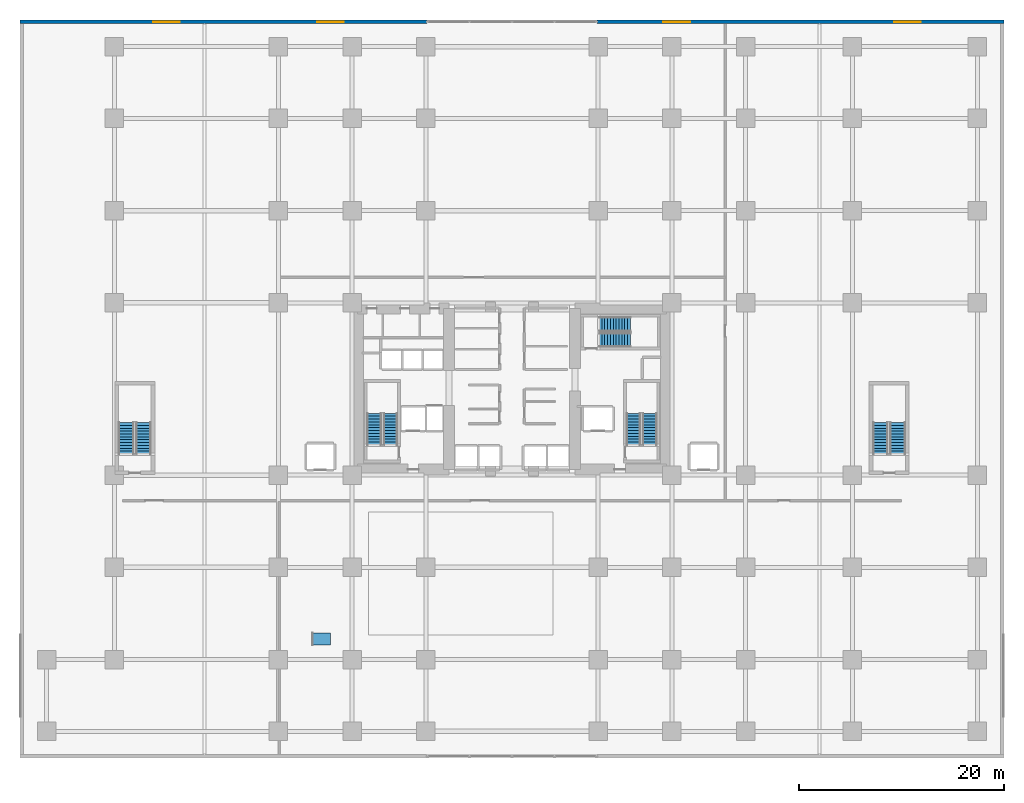
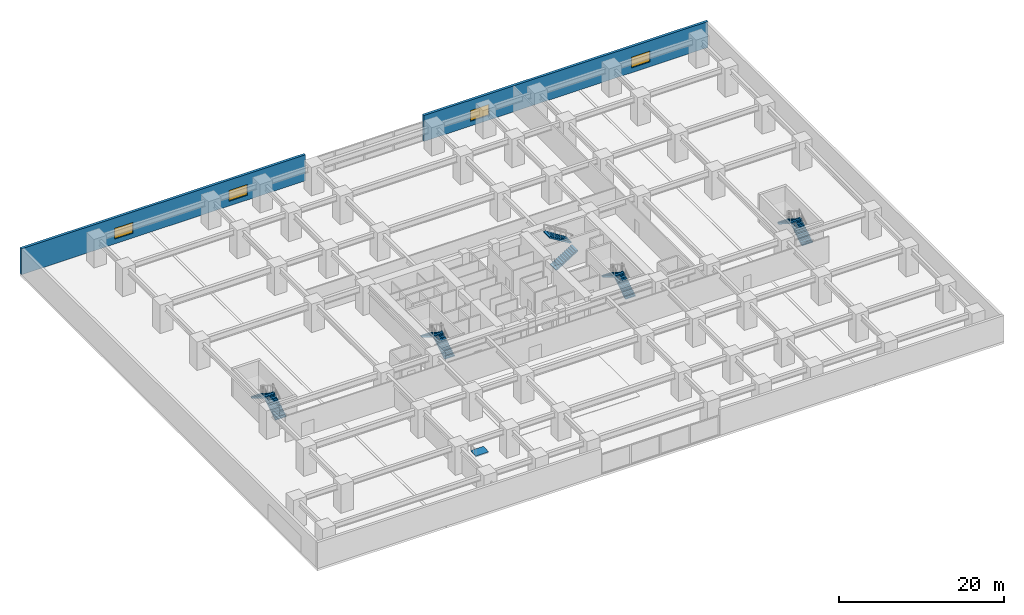
# One storey, part 14 of 22: 10 stair flights, 4 windows, 2 walls, 1 ramp flight, 4 openings, 6 elements without a shape of their own.
"""IFC4 building model written with IfcOpenShell, lengths in metres."""

from ifc_helpers import new_model, si_unit, direction, frame, frame_2d, origin, place, context, subcontext, project, spatial, polyline, rectangle, outline, extrude, material, layer, layer_set, type_object, element, fill, aggregate, save


model = new_model("IFC4")

# Units and contexts
model_context = context("Model", 3, precision=1e-05, world=origin(), true_north=direction((0.0, 1.0)))
body_context = subcontext(model_context, "Body", "Model", "MODEL_VIEW")
ifc_project = project(units=[si_unit("LENGTHUNIT", "METRE"), si_unit("AREAUNIT", "SQUARE_METRE"), si_unit("VOLUMEUNIT", "CUBIC_METRE"), si_unit("PLANEANGLEUNIT", "RADIAN"), si_unit("MASSUNIT", "GRAM", prefix="KILO")], contexts=[model_context])

# Site, building, storey
site_placement = place(None, origin())
site = spatial("IfcSite", under=ifc_project, at=site_placement, CompositionType="ELEMENT")
building_placement = place(site_placement, origin())
building = spatial("IfcBuilding", under=site, at=building_placement, Name="Kiyonajd Concourse Tower", CompositionType="ELEMENT")
storey_placement = place(building_placement, frame((0.0, 0.0, 12.89990234375)))
storey = spatial("IfcBuildingStorey", under=building, at=storey_placement, Name="L04", CompositionType="ELEMENT", Elevation=12.89990234375)

# Wall, openings, windows
ifc_material_1 = material(Name="Precast concrete C50/60", Category="concrete")
ifc_layer_1 = layer(ifc_material_1, 0.360107421875)
ifc_layer_set_1 = layer_set([ifc_layer_1], Name="Precast concrete C50/60")
wall_type = type_object("IfcWallType", Name="WL-EXT-360", PredefinedType="SOLIDWALL", material=ifc_layer_set_1)
wall_1_placement = place(storey_placement, frame((0.0, 71.820068359375, 0.0), z_axis=(0.0, 0.0, 1.0), x_axis=(1.0, 0.0, 0.0)))
wall_1 = element("IfcWall", 1, at=wall_1_placement, inside=storey, type_object=wall_type, Name="L04 North West Podium Facade Wall", PredefinedType="SOLIDWALL", context=body_context, shape_type="SweptSolid", body=[
    extrude(rectangle(XDim=39.719970703125, YDim=0.360107421875, at=frame_2d((19.85986328125, 0.0))), origin(), (0.0, 0.0, 1.0), 3.840087890625),
])
opening_1_placement = place(wall_1_placement, frame((13.0, 0.0, 0.699951171875)))
opening_1 = element("IfcOpeningElement", 2, at=opening_1_placement, cuts=wall_1, Name="Opening WN8", PredefinedType="OPENING", context=body_context, shape_type="SweptSolid", body=[
    extrude(rectangle(XDim=2.60009765625, YDim=1.60009765625, at=frame_2d((1.300048828125, 0.800048828125))), frame((0.0, 0.18994140625, 0.0), z_axis=(0.0, -1.0, 0.0), x_axis=(1.0, 0.0, 0.0)), (0.0, 0.0, 1.0), 0.380126953125),
])
opening_2_placement = place(wall_1_placement, frame((29.0, 0.0, 0.699951171875)))
opening_2 = element("IfcOpeningElement", 3, at=opening_2_placement, cuts=wall_1, Name="Opening WN8", PredefinedType="OPENING", context=body_context, shape_type="SweptSolid", body=[
    extrude(rectangle(XDim=2.60009765625, YDim=1.60009765625, at=frame_2d((1.300048828125, 0.800048828125))), frame((0.0, 0.18994140625, 0.0), z_axis=(0.0, -1.0, 0.0), x_axis=(1.0, 0.0, 0.0)), (0.0, 0.0, 1.0), 0.380126953125),
])
ifc_material_2 = material(Name="Double Low-E Insulated Glass", Category="glass")
window_type = type_object("IfcWindowType", Name="WN-POD-2600x1600", PartitioningType="SINGLE_PANEL", PredefinedType="WINDOW", material=ifc_material_2)
window_1_placement = place(opening_1_placement, origin())
window_1 = element("IfcWindow", 4, at=window_1_placement, inside=storey, type_object=window_type, Name="L04 North West Podium Vision Window", OverallHeight=1.60009765625, OverallWidth=2.60009765625, PartitioningType="SINGLE_PANEL", PredefinedType="WINDOW", context=body_context, shape_type="SweptSolid", body=[
    extrude(rectangle(XDim=2.60009765625, YDim=1.60009765625, at=frame_2d((1.300048828125, 0.800048828125))), frame((0.0, 0.030029296875, 0.0), z_axis=(0.0, -1.0, 0.0), x_axis=(1.0, 0.0, 0.0)), (0.0, 0.0, 1.0), 0.06005859375),
])
fill(opening_1, window_1)
window_2_placement = place(opening_2_placement, origin())
window_2 = element("IfcWindow", 5, at=window_2_placement, inside=storey, type_object=window_type, Name="L04 North West Podium Vision Window", OverallHeight=1.60009765625, OverallWidth=2.60009765625, PartitioningType="SINGLE_PANEL", PredefinedType="WINDOW", context=body_context, shape_type="SweptSolid", body=[
    extrude(rectangle(XDim=2.60009765625, YDim=1.60009765625, at=frame_2d((1.300048828125, 0.800048828125))), frame((0.0, 0.030029296875, 0.0), z_axis=(0.0, -1.0, 0.0), x_axis=(1.0, 0.0, 0.0)), (0.0, 0.0, 1.0), 0.06005859375),
])
fill(opening_2, window_2)

wall_2_placement = place(storey_placement, frame((56.280029296875, 71.820068359375, 0.0), z_axis=(0.0, 0.0, 1.0), x_axis=(1.0, 0.0, 0.0)))
wall_2 = element("IfcWall", 6, at=wall_2_placement, inside=storey, type_object=wall_type, Name="L04 North East Podium Facade Wall", PredefinedType="SOLIDWALL", context=body_context, shape_type="SweptSolid", body=[
    extrude(rectangle(XDim=39.719970703125, YDim=0.360107421875, at=frame_2d((19.85986328125, 0.0))), origin(), (0.0, 0.0, 1.0), 3.840087890625),
])
opening_3_placement = place(wall_2_placement, frame((6.5, 0.0, 0.699951171875)))
opening_3 = element("IfcOpeningElement", 7, at=opening_3_placement, cuts=wall_2, Name="Opening WN8", PredefinedType="OPENING", context=body_context, shape_type="SweptSolid", body=[
    extrude(rectangle(XDim=2.60009765625, YDim=1.60009765625, at=frame_2d((1.300048828125, 0.800048828125))), frame((0.0, 0.18994140625, 0.0), z_axis=(0.0, -1.0, 0.0), x_axis=(1.0, 0.0, 0.0)), (0.0, 0.0, 1.0), 0.380126953125),
])
opening_4_placement = place(wall_2_placement, frame((29.0, 0.0, 0.699951171875)))
opening_4 = element("IfcOpeningElement", 8, at=opening_4_placement, cuts=wall_2, Name="Opening WN8", PredefinedType="OPENING", context=body_context, shape_type="SweptSolid", body=[
    extrude(rectangle(XDim=2.60009765625, YDim=1.60009765625, at=frame_2d((1.300048828125, 0.800048828125))), frame((0.0, 0.18994140625, 0.0), z_axis=(0.0, -1.0, 0.0), x_axis=(1.0, 0.0, 0.0)), (0.0, 0.0, 1.0), 0.380126953125),
])
window_3_placement = place(opening_3_placement, origin())
window_3 = element("IfcWindow", 9, at=window_3_placement, inside=storey, type_object=window_type, Name="L04 North East Podium Vision Window", OverallHeight=1.60009765625, OverallWidth=2.60009765625, PartitioningType="SINGLE_PANEL", PredefinedType="WINDOW", context=body_context, shape_type="SweptSolid", body=[
    extrude(rectangle(XDim=2.60009765625, YDim=1.60009765625, at=frame_2d((1.300048828125, 0.800048828125))), frame((0.0, 0.030029296875, 0.0), z_axis=(0.0, -1.0, 0.0), x_axis=(1.0, 0.0, 0.0)), (0.0, 0.0, 1.0), 0.06005859375),
])
fill(opening_3, window_3)
window_4_placement = place(opening_4_placement, origin())
window_4 = element("IfcWindow", 10, at=window_4_placement, inside=storey, type_object=window_type, Name="L04 North East Podium Vision Window", OverallHeight=1.60009765625, OverallWidth=2.60009765625, PartitioningType="SINGLE_PANEL", PredefinedType="WINDOW", context=body_context, shape_type="SweptSolid", body=[
    extrude(rectangle(XDim=2.60009765625, YDim=1.60009765625, at=frame_2d((1.300048828125, 0.800048828125))), frame((0.0, 0.030029296875, 0.0), z_axis=(0.0, -1.0, 0.0), x_axis=(1.0, 0.0, 0.0)), (0.0, 0.0, 1.0), 0.06005859375),
])
fill(opening_4, window_4)

# Stair, stair flights
ifc_material_3 = material(Name="Concrete C40/50", Category="concrete")
stair_type_1 = type_object("IfcStairType", Name="ST-POD-1500", PredefinedType="HALF_TURN_STAIR", material=ifc_material_3)
stair_1_placement = place(storey_placement, origin())
stair_1 = element("IfcStair", 11, at=stair_1_placement, inside=storey, type_object=stair_type_1, Name="L04 West Podium Exit Stair ST4", PredefinedType="HALF_TURN_STAIR")
stair_flight_type_1 = type_object("IfcStairFlightType", Name="SF-POD-1500", PredefinedType="STRAIGHT", material=ifc_material_3)
stair_flight_1_placement = place(storey_placement, frame((12.050048828125, 29.64990234375, 0.0), z_axis=(0.0, 0.0, 1.0), x_axis=(0.0, 1.0, 0.0)))
stair_flight_1 = element("IfcStairFlight", 12, at=stair_flight_1_placement, type_object=stair_flight_type_1, Name="ST4 flight 1", NumberOfRisers=12, NumberOfTreads=11, PredefinedType="STRAIGHT", RiserHeight=0.175, TreadLength=0.28, context=body_context, shape_type="SweptSolid", body=[
    extrude(outline(polyline([(0.0, 0.0), (0.0, 0.175048828125), (0.280029296875, 0.175048828125), (0.280029296875, 0.35009765625), (0.56005859375, 0.35009765625), (0.56005859375, 0.52490234375), (0.840087890625, 0.52490234375), (0.840087890625, 0.699951171875), (1.1201171875, 0.699951171875), (1.1201171875, 0.875), (1.39990234375, 0.875), (1.39990234375, 1.050048828125), (1.679931640625, 1.050048828125), (1.679931640625, 1.22509765625), (1.9599609375, 1.22509765625), (1.9599609375, 1.39990234375), (2.239990234375, 1.39990234375), (2.239990234375, 1.574951171875), (2.52001953125, 1.574951171875), (2.52001953125, 1.75), (2.800048828125, 1.75), (2.800048828125, 1.925048828125), (3.080078125, 1.925048828125), (3.080078125, 2.10009765625), (3.080078125, 1.748291015625), (0.28271484375, 0.0), (0.0, 0.0)])), frame((0.0, 0.75, 0.0), z_axis=(0.0, -1.0, 0.0), x_axis=(1.0, 0.0, 0.0)), (0.0, 0.0, 1.0), 1.5),
])
stair_flight_2_placement = place(storey_placement, frame((10.35009765625, 32.72998046875, 2.10009765625), z_axis=(0.0, 0.0, 1.0), x_axis=(0.0, -1.0, 0.0)))
stair_flight_2 = element("IfcStairFlight", 13, at=stair_flight_2_placement, type_object=stair_flight_type_1, Name="ST4 flight 2", NumberOfRisers=12, NumberOfTreads=11, PredefinedType="STRAIGHT", RiserHeight=0.175, TreadLength=0.28, context=body_context, shape_type="SweptSolid", body=[
    extrude(outline(polyline([(0.0, 0.0), (0.0, 0.175048828125), (0.280029296875, 0.175048828125), (0.280029296875, 0.35009765625), (0.56005859375, 0.35009765625), (0.56005859375, 0.52490234375), (0.840087890625, 0.52490234375), (0.840087890625, 0.699951171875), (1.1201171875, 0.699951171875), (1.1201171875, 0.875), (1.39990234375, 0.875), (1.39990234375, 1.050048828125), (1.679931640625, 1.050048828125), (1.679931640625, 1.22509765625), (1.9599609375, 1.22509765625), (1.9599609375, 1.39990234375), (2.239990234375, 1.39990234375), (2.239990234375, 1.574951171875), (2.52001953125, 1.574951171875), (2.52001953125, 1.75), (2.800048828125, 1.75), (2.800048828125, 1.925048828125), (3.080078125, 1.925048828125), (3.080078125, 2.10009765625), (3.080078125, 1.748291015625), (0.28271484375, 0.0), (0.0, 0.0)])), frame((0.0, 0.75, 0.0), z_axis=(0.0, -1.0, 0.0), x_axis=(1.0, 0.0, 0.0)), (0.0, 0.0, 1.0), 1.5),
])
aggregate(stair_1, [stair_flight_1, stair_flight_2])

stair_2_placement = place(storey_placement, origin())
stair_2 = element("IfcStair", 14, at=stair_2_placement, inside=storey, type_object=stair_type_1, Name="L04 East Podium Exit Stair ST5", PredefinedType="HALF_TURN_STAIR")
stair_flight_3_placement = place(storey_placement, frame((85.64990234375, 29.64990234375, 0.0), z_axis=(0.0, 0.0, 1.0), x_axis=(0.0, 1.0, 0.0)))
stair_flight_3 = element("IfcStairFlight", 15, at=stair_flight_3_placement, type_object=stair_flight_type_1, Name="ST5 flight 1", NumberOfRisers=12, NumberOfTreads=11, PredefinedType="STRAIGHT", RiserHeight=0.175, TreadLength=0.28, context=body_context, shape_type="SweptSolid", body=[
    extrude(outline(polyline([(0.0, 0.0), (0.0, 0.175048828125), (0.280029296875, 0.175048828125), (0.280029296875, 0.35009765625), (0.56005859375, 0.35009765625), (0.56005859375, 0.52490234375), (0.840087890625, 0.52490234375), (0.840087890625, 0.699951171875), (1.1201171875, 0.699951171875), (1.1201171875, 0.875), (1.39990234375, 0.875), (1.39990234375, 1.050048828125), (1.679931640625, 1.050048828125), (1.679931640625, 1.22509765625), (1.9599609375, 1.22509765625), (1.9599609375, 1.39990234375), (2.239990234375, 1.39990234375), (2.239990234375, 1.574951171875), (2.52001953125, 1.574951171875), (2.52001953125, 1.75), (2.800048828125, 1.75), (2.800048828125, 1.925048828125), (3.080078125, 1.925048828125), (3.080078125, 2.10009765625), (3.080078125, 1.748291015625), (0.28271484375, 0.0), (0.0, 0.0)])), frame((0.0, 0.75, 0.0), z_axis=(0.0, -1.0, 0.0), x_axis=(1.0, 0.0, 0.0)), (0.0, 0.0, 1.0), 1.5),
])
stair_flight_4_placement = place(storey_placement, frame((83.949951171875, 32.72998046875, 2.10009765625), z_axis=(0.0, 0.0, 1.0), x_axis=(0.0, -1.0, 0.0)))
stair_flight_4 = element("IfcStairFlight", 16, at=stair_flight_4_placement, type_object=stair_flight_type_1, Name="ST5 flight 2", NumberOfRisers=12, NumberOfTreads=11, PredefinedType="STRAIGHT", RiserHeight=0.175, TreadLength=0.28, context=body_context, shape_type="SweptSolid", body=[
    extrude(outline(polyline([(0.0, 0.0), (0.0, 0.175048828125), (0.280029296875, 0.175048828125), (0.280029296875, 0.35009765625), (0.56005859375, 0.35009765625), (0.56005859375, 0.52490234375), (0.840087890625, 0.52490234375), (0.840087890625, 0.699951171875), (1.1201171875, 0.699951171875), (1.1201171875, 0.875), (1.39990234375, 0.875), (1.39990234375, 1.050048828125), (1.679931640625, 1.050048828125), (1.679931640625, 1.22509765625), (1.9599609375, 1.22509765625), (1.9599609375, 1.39990234375), (2.239990234375, 1.39990234375), (2.239990234375, 1.574951171875), (2.52001953125, 1.574951171875), (2.52001953125, 1.75), (2.800048828125, 1.75), (2.800048828125, 1.925048828125), (3.080078125, 1.925048828125), (3.080078125, 2.10009765625), (3.080078125, 1.748291015625), (0.28271484375, 0.0), (0.0, 0.0)])), frame((0.0, 0.75, 0.0), z_axis=(0.0, -1.0, 0.0), x_axis=(1.0, 0.0, 0.0)), (0.0, 0.0, 1.0), 1.5),
])
aggregate(stair_2, [stair_flight_3, stair_flight_4])

stair_type_2 = type_object("IfcStairType", Name="ST-DLG-24R", PredefinedType="HALF_TURN_STAIR", material=ifc_material_3)
stair_3_placement = place(storey_placement, origin())
stair_3 = element("IfcStair", 17, at=stair_3_placement, inside=storey, type_object=stair_type_2, Name="L04 Protected Exit Stair ST1", PredefinedType="HALF_TURN_STAIR")
stair_flight_type_2 = type_object("IfcStairFlightType", Name="SF-STR-24R", PredefinedType="STRAIGHT", material=ifc_material_3)
stair_flight_5_placement = place(storey_placement, frame((36.14990234375, 30.550048828125, 0.0), z_axis=(0.0, 0.0, 1.0), x_axis=(0.0, 1.0, 0.0)))
stair_flight_5 = element("IfcStairFlight", 18, at=stair_flight_5_placement, type_object=stair_flight_type_2, Name="ST1 flight 1", NumberOfRisers=12, NumberOfTreads=11, PredefinedType="STRAIGHT", RiserHeight=0.175, TreadLength=0.28, context=body_context, shape_type="SweptSolid", body=[
    extrude(outline(polyline([(0.0, 0.0), (0.0, 0.175048828125), (0.280029296875, 0.175048828125), (0.280029296875, 0.35009765625), (0.56005859375, 0.35009765625), (0.56005859375, 0.52490234375), (0.840087890625, 0.52490234375), (0.840087890625, 0.699951171875), (1.1201171875, 0.699951171875), (1.1201171875, 0.875), (1.39990234375, 0.875), (1.39990234375, 1.050048828125), (1.679931640625, 1.050048828125), (1.679931640625, 1.22509765625), (1.9599609375, 1.22509765625), (1.9599609375, 1.39990234375), (2.239990234375, 1.39990234375), (2.239990234375, 1.574951171875), (2.52001953125, 1.574951171875), (2.52001953125, 1.75), (2.800048828125, 1.75), (2.800048828125, 1.925048828125), (3.080078125, 1.925048828125), (3.080078125, 2.10009765625), (3.080078125, 1.748291015625), (0.28271484375, 0.0), (0.0, 0.0)])), frame((0.0, 0.699951171875, 0.0), z_axis=(0.0, -1.0, 0.0), x_axis=(1.0, 0.0, 0.0)), (0.0, 0.0, 1.0), 1.39990234375),
])
stair_flight_6_placement = place(storey_placement, frame((34.550048828125, 33.6298828125, 2.10009765625), z_axis=(0.0, 0.0, 1.0), x_axis=(0.0, -1.0, 0.0)))
stair_flight_6 = element("IfcStairFlight", 19, at=stair_flight_6_placement, type_object=stair_flight_type_2, Name="ST1 flight 2", NumberOfRisers=12, NumberOfTreads=11, PredefinedType="STRAIGHT", RiserHeight=0.175, TreadLength=0.28, context=body_context, shape_type="SweptSolid", body=[
    extrude(outline(polyline([(0.0, 0.0), (0.0, 0.175048828125), (0.280029296875, 0.175048828125), (0.280029296875, 0.35009765625), (0.56005859375, 0.35009765625), (0.56005859375, 0.52490234375), (0.840087890625, 0.52490234375), (0.840087890625, 0.699951171875), (1.1201171875, 0.699951171875), (1.1201171875, 0.875), (1.39990234375, 0.875), (1.39990234375, 1.050048828125), (1.679931640625, 1.050048828125), (1.679931640625, 1.22509765625), (1.9599609375, 1.22509765625), (1.9599609375, 1.39990234375), (2.239990234375, 1.39990234375), (2.239990234375, 1.574951171875), (2.52001953125, 1.574951171875), (2.52001953125, 1.75), (2.800048828125, 1.75), (2.800048828125, 1.925048828125), (3.080078125, 1.925048828125), (3.080078125, 2.10009765625), (3.080078125, 1.748291015625), (0.28271484375, 0.0), (0.0, 0.0)])), frame((0.0, 0.699951171875, 0.0), z_axis=(0.0, -1.0, 0.0), x_axis=(1.0, 0.0, 0.0)), (0.0, 0.0, 1.0), 1.39990234375),
])
aggregate(stair_3, [stair_flight_5, stair_flight_6])

stair_4_placement = place(storey_placement, origin())
stair_4 = element("IfcStair", 20, at=stair_4_placement, inside=storey, type_object=stair_type_2, Name="L04 Protected Exit Stair ST2", PredefinedType="HALF_TURN_STAIR")
stair_flight_7_placement = place(storey_placement, frame((61.449951171875, 30.550048828125, 0.0), z_axis=(0.0, 0.0, 1.0), x_axis=(0.0, 1.0, 0.0)))
stair_flight_7 = element("IfcStairFlight", 21, at=stair_flight_7_placement, type_object=stair_flight_type_2, Name="ST2 flight 1", NumberOfRisers=12, NumberOfTreads=11, PredefinedType="STRAIGHT", RiserHeight=0.175, TreadLength=0.28, context=body_context, shape_type="SweptSolid", body=[
    extrude(outline(polyline([(0.0, 0.0), (0.0, 0.175048828125), (0.280029296875, 0.175048828125), (0.280029296875, 0.35009765625), (0.56005859375, 0.35009765625), (0.56005859375, 0.52490234375), (0.840087890625, 0.52490234375), (0.840087890625, 0.699951171875), (1.1201171875, 0.699951171875), (1.1201171875, 0.875), (1.39990234375, 0.875), (1.39990234375, 1.050048828125), (1.679931640625, 1.050048828125), (1.679931640625, 1.22509765625), (1.9599609375, 1.22509765625), (1.9599609375, 1.39990234375), (2.239990234375, 1.39990234375), (2.239990234375, 1.574951171875), (2.52001953125, 1.574951171875), (2.52001953125, 1.75), (2.800048828125, 1.75), (2.800048828125, 1.925048828125), (3.080078125, 1.925048828125), (3.080078125, 2.10009765625), (3.080078125, 1.748291015625), (0.28271484375, 0.0), (0.0, 0.0)])), frame((0.0, 0.699951171875, 0.0), z_axis=(0.0, -1.0, 0.0), x_axis=(1.0, 0.0, 0.0)), (0.0, 0.0, 1.0), 1.39990234375),
])
stair_flight_8_placement = place(storey_placement, frame((59.85009765625, 33.6298828125, 2.10009765625), z_axis=(0.0, 0.0, 1.0), x_axis=(0.0, -1.0, 0.0)))
stair_flight_8 = element("IfcStairFlight", 22, at=stair_flight_8_placement, type_object=stair_flight_type_2, Name="ST2 flight 2", NumberOfRisers=12, NumberOfTreads=11, PredefinedType="STRAIGHT", RiserHeight=0.175, TreadLength=0.28, context=body_context, shape_type="SweptSolid", body=[
    extrude(outline(polyline([(0.0, 0.0), (0.0, 0.175048828125), (0.280029296875, 0.175048828125), (0.280029296875, 0.35009765625), (0.56005859375, 0.35009765625), (0.56005859375, 0.52490234375), (0.840087890625, 0.52490234375), (0.840087890625, 0.699951171875), (1.1201171875, 0.699951171875), (1.1201171875, 0.875), (1.39990234375, 0.875), (1.39990234375, 1.050048828125), (1.679931640625, 1.050048828125), (1.679931640625, 1.22509765625), (1.9599609375, 1.22509765625), (1.9599609375, 1.39990234375), (2.239990234375, 1.39990234375), (2.239990234375, 1.574951171875), (2.52001953125, 1.574951171875), (2.52001953125, 1.75), (2.800048828125, 1.75), (2.800048828125, 1.925048828125), (3.080078125, 1.925048828125), (3.080078125, 2.10009765625), (3.080078125, 1.748291015625), (0.28271484375, 0.0), (0.0, 0.0)])), frame((0.0, 0.699951171875, 0.0), z_axis=(0.0, -1.0, 0.0), x_axis=(1.0, 0.0, 0.0)), (0.0, 0.0, 1.0), 1.39990234375),
])
aggregate(stair_4, [stair_flight_7, stair_flight_8])

stair_5_placement = place(storey_placement, origin())
stair_5 = element("IfcStair", 23, at=stair_5_placement, inside=storey, type_object=stair_type_2, Name="L04 Protected Exit Stair ST3", PredefinedType="HALF_TURN_STAIR")
stair_flight_9_placement = place(storey_placement, frame((56.47998046875, 40.780029296875, 0.0), z_axis=(0.0, 0.0, 1.0), x_axis=(1.0, 0.0, 0.0)))
stair_flight_9 = element("IfcStairFlight", 24, at=stair_flight_9_placement, type_object=stair_flight_type_2, Name="ST3 flight 1", NumberOfRisers=12, NumberOfTreads=11, PredefinedType="STRAIGHT", RiserHeight=0.175, TreadLength=0.28, context=body_context, shape_type="SweptSolid", body=[
    extrude(outline(polyline([(0.0, 0.0), (0.0, 0.175048828125), (0.280029296875, 0.175048828125), (0.280029296875, 0.35009765625), (0.56005859375, 0.35009765625), (0.56005859375, 0.52490234375), (0.840087890625, 0.52490234375), (0.840087890625, 0.699951171875), (1.1201171875, 0.699951171875), (1.1201171875, 0.875), (1.39990234375, 0.875), (1.39990234375, 1.050048828125), (1.679931640625, 1.050048828125), (1.679931640625, 1.22509765625), (1.9599609375, 1.22509765625), (1.9599609375, 1.39990234375), (2.239990234375, 1.39990234375), (2.239990234375, 1.574951171875), (2.52001953125, 1.574951171875), (2.52001953125, 1.75), (2.800048828125, 1.75), (2.800048828125, 1.925048828125), (3.080078125, 1.925048828125), (3.080078125, 2.10009765625), (3.080078125, 1.748291015625), (0.28271484375, 0.0), (0.0, 0.0)])), frame((0.0, 0.699951171875, 0.0), z_axis=(0.0, -1.0, 0.0), x_axis=(1.0, 0.0, 0.0)), (0.0, 0.0, 1.0), 1.39990234375),
])
stair_flight_10_placement = place(storey_placement, frame((59.56005859375, 42.320068359375, 2.10009765625), z_axis=(0.0, 0.0, 1.0), x_axis=(-1.0, 0.0, 0.0)))
stair_flight_10 = element("IfcStairFlight", 25, at=stair_flight_10_placement, type_object=stair_flight_type_2, Name="ST3 flight 2", NumberOfRisers=12, NumberOfTreads=11, PredefinedType="STRAIGHT", RiserHeight=0.175, TreadLength=0.28, context=body_context, shape_type="SweptSolid", body=[
    extrude(outline(polyline([(0.0, 0.0), (0.0, 0.175048828125), (0.280029296875, 0.175048828125), (0.280029296875, 0.35009765625), (0.56005859375, 0.35009765625), (0.56005859375, 0.52490234375), (0.840087890625, 0.52490234375), (0.840087890625, 0.699951171875), (1.1201171875, 0.699951171875), (1.1201171875, 0.875), (1.39990234375, 0.875), (1.39990234375, 1.050048828125), (1.679931640625, 1.050048828125), (1.679931640625, 1.22509765625), (1.9599609375, 1.22509765625), (1.9599609375, 1.39990234375), (2.239990234375, 1.39990234375), (2.239990234375, 1.574951171875), (2.52001953125, 1.574951171875), (2.52001953125, 1.75), (2.800048828125, 1.75), (2.800048828125, 1.925048828125), (3.080078125, 1.925048828125), (3.080078125, 2.10009765625), (3.080078125, 1.748291015625), (0.28271484375, 0.0), (0.0, 0.0)])), frame((0.0, 0.699951171875, 0.0), z_axis=(0.0, -1.0, 0.0), x_axis=(1.0, 0.0, 0.0)), (0.0, 0.0, 1.0), 1.39990234375),
])
aggregate(stair_5, [stair_flight_9, stair_flight_10])

# Ramp, ramp flight
ramp_type = type_object("IfcRampType", Name="RM-PED-1800", PredefinedType="STRAIGHT_RUN_RAMP", material=ifc_material_3)
ramp_placement = place(storey_placement, origin())
ramp = element("IfcRamp", 26, at=ramp_placement, inside=storey, type_object=ramp_type, Name="L04 Accessible Threshold Ramp PR4", PredefinedType="STRAIGHT_RUN_RAMP")
ifc_layer_2 = layer(ifc_material_3, 0.179931640625)
ifc_layer_set_2 = layer_set([ifc_layer_2], Name="Concrete C40/50")
ramp_flight_type = type_object("IfcRampFlightType", Name="RF-PED-180", PredefinedType="STRAIGHT", material=ifc_layer_set_2)
ramp_flight_placement = place(storey_placement, frame((28.5, 11.0, 0.0), z_axis=(0.0, -0.083129378007, 0.996538763176), x_axis=(1.0, 0.0, 0.0)))
ramp_flight = element("IfcRampFlight", 27, at=ramp_flight_placement, type_object=ramp_flight_type, Name="L04 Accessible Ramp Flight PR4", PredefinedType="STRAIGHT", context=body_context, shape_type="SweptSolid", body=[
    extrude(outline(polyline([(0.0, 0.0), (1.800048828125, 0.0), (1.800048828125, 1.2041189125958156), (0.0, 1.2041189125958156), (0.0, 0.0)])), origin(), (0.0, 0.0, -1.0), 0.179931640625),
])
aggregate(ramp, [ramp_flight])

save(model, "model.ifc")
